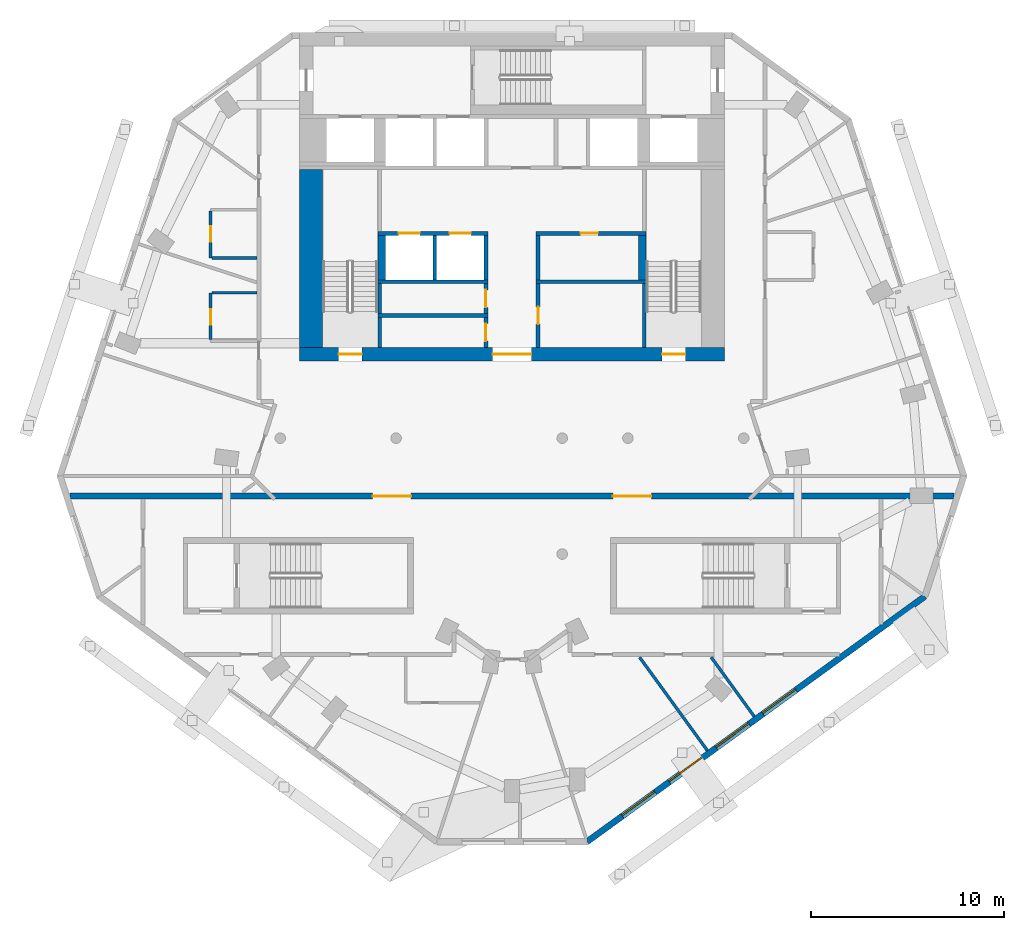
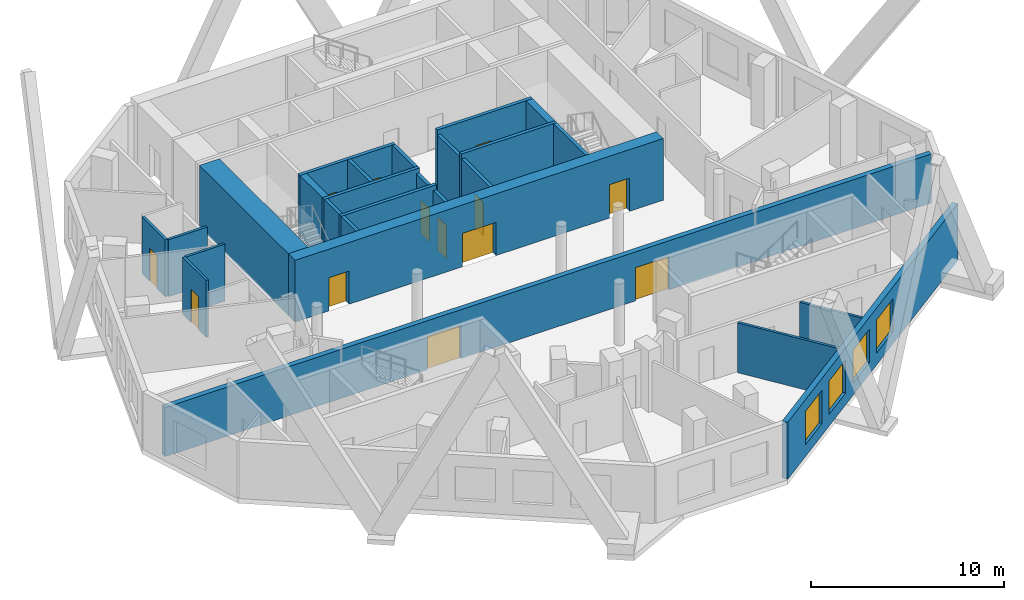
# One storey, part 4 of 9: 26 walls, 13 doors, 4 windows, 17 openings.
"""IFC4 building model written with IfcOpenShell, lengths in metres."""

from ifc_helpers import new_model, si_unit, direction, frame, frame_2d, origin, place, context, subcontext, project, spatial, rectangle, extrude, material, layer, layer_set, type_object, element, fill, save


model = new_model("IFC4")

# Units and contexts
model_context = context("Model", 3, precision=1e-05, world=origin(), true_north=direction((0.0, 1.0)))
body_context = subcontext(model_context, "Body", "Model", "MODEL_VIEW")
ifc_project = project(units=[si_unit("LENGTHUNIT", "METRE"), si_unit("AREAUNIT", "SQUARE_METRE"), si_unit("VOLUMEUNIT", "CUBIC_METRE"), si_unit("PLANEANGLEUNIT", "RADIAN"), si_unit("MASSUNIT", "GRAM", prefix="KILO")], contexts=[model_context])

# Site, building, storey
site_placement = place(None, origin())
site = spatial("IfcSite", under=ifc_project, at=site_placement, CompositionType="ELEMENT")
building_placement = place(site_placement, origin())
building = spatial("IfcBuilding", under=site, at=building_placement, Name="White Candle Pilgrim Tower", CompositionType="ELEMENT")
storey_placement = place(building_placement, frame((0.0, 0.0, 260.0)))
storey = spatial("IfcBuildingStorey", under=building, at=storey_placement, Name="L61", CompositionType="ELEMENT", Elevation=260.0)

# Wall, openings, windows
ifc_material_1 = material(Name="Precast concrete C40/50", Category="concrete")
ifc_layer_1 = layer(ifc_material_1, 0.320068359375)
ifc_layer_set_1 = layer_set([ifc_layer_1], Name="Facade wall EW1 precast concrete C40/50 pier wall with timber-lined reveals")
wall_type_1 = type_object("IfcWallType", Name="Facade wall EW1 precast concrete C40/50 pier wall with timber-lined reveals", PredefinedType="SOLIDWALL", material=ifc_layer_set_1)
wall_1_placement = place(storey_placement, frame((73.894287109375, 46.109130859375, 0.0), z_axis=(0.0, 0.0, 1.0), x_axis=(0.809016403759, 0.587786065205, 0.0)))
wall_1 = element("IfcWall", 1, at=wall_1_placement, inside=storey, type_object=wall_type_1, Name="Facade wall L61 SE", PredefinedType="SOLIDWALL", context=body_context, shape_type="SweptSolid", body=[
    extrude(rectangle(XDim=21.611083984375, YDim=0.320068359375, at=frame_2d((10.8056640625, 0.0))), origin(), (0.0, 0.0, 1.0), 3.60009765625),
])
opening_1_placement = place(wall_1_placement, frame((2.255615234375, 0.0, 0.75)))
opening_1 = element("IfcOpeningElement", 2, at=opening_1_placement, cuts=wall_1, Name="Opening W3", PredefinedType="OPENING", context=body_context, shape_type="SweptSolid", body=[
    extrude(rectangle(XDim=2.10009765625, YDim=2.10009765625, at=frame_2d((1.050048828125, 1.050048828125))), frame((0.0, 0.169921875, 0.0), z_axis=(0.0, -1.0, 0.0), x_axis=(1.0, 0.0, 0.0)), (0.0, 0.0, 1.0), 0.340087890625),
])
opening_2_placement = place(wall_1_placement, frame((5.255615234375, 0.0, 0.75)))
opening_2 = element("IfcOpeningElement", 3, at=opening_2_placement, cuts=wall_1, Name="Opening W3", PredefinedType="OPENING", context=body_context, shape_type="SweptSolid", body=[
    extrude(rectangle(XDim=2.10009765625, YDim=2.10009765625, at=frame_2d((1.050048828125, 1.050048828125))), frame((0.0, 0.169921875, 0.0), z_axis=(0.0, -1.0, 0.0), x_axis=(1.0, 0.0, 0.0)), (0.0, 0.0, 1.0), 0.340087890625),
])
opening_3_placement = place(wall_1_placement, frame((8.255615234375, 0.0, 0.75)))
opening_3 = element("IfcOpeningElement", 4, at=opening_3_placement, cuts=wall_1, Name="Opening W3", PredefinedType="OPENING", context=body_context, shape_type="SweptSolid", body=[
    extrude(rectangle(XDim=2.10009765625, YDim=2.10009765625, at=frame_2d((1.050048828125, 1.050048828125))), frame((0.0, 0.169921875, 0.0), z_axis=(0.0, -1.0, 0.0), x_axis=(1.0, 0.0, 0.0)), (0.0, 0.0, 1.0), 0.340087890625),
])
opening_4_placement = place(wall_1_placement, frame((11.255615234375, 0.0, 0.75)))
opening_4 = element("IfcOpeningElement", 5, at=opening_4_placement, cuts=wall_1, Name="Opening W3", PredefinedType="OPENING", context=body_context, shape_type="SweptSolid", body=[
    extrude(rectangle(XDim=2.10009765625, YDim=2.10009765625, at=frame_2d((1.050048828125, 1.050048828125))), frame((0.0, 0.169921875, 0.0), z_axis=(0.0, -1.0, 0.0), x_axis=(1.0, 0.0, 0.0)), (0.0, 0.0, 1.0), 0.340087890625),
])
ifc_material_2 = material(Name="Timber frame with triple glazing", Category="wood")
window_type = type_object("IfcWindowType", Name="Window W3 2100x2100 timber frame triple glazing", PartitioningType="SINGLE_PANEL", PredefinedType="WINDOW", material=ifc_material_2)
window_1_placement = place(opening_1_placement, origin())
window_1 = element("IfcWindow", 6, at=window_1_placement, inside=storey, type_object=window_type, Name="Window W3 L61 SE 1", OverallHeight=2.10009765625, OverallWidth=2.10009765625, PartitioningType="SINGLE_PANEL", PredefinedType="WINDOW", context=body_context, shape_type="SweptSolid", body=[
    extrude(rectangle(XDim=2.10009765625, YDim=2.10009765625, at=frame_2d((1.050048828125, 1.050048828125))), frame((0.0, 0.070068359375, 0.0), z_axis=(0.0, -1.0, 0.0), x_axis=(1.0, 0.0, 0.0)), (0.0, 0.0, 1.0), 0.06005859375),
])
fill(opening_1, window_1)
window_2_placement = place(opening_2_placement, origin())
window_2 = element("IfcWindow", 7, at=window_2_placement, inside=storey, type_object=window_type, Name="Window W3 L61 SE 2", OverallHeight=2.10009765625, OverallWidth=2.10009765625, PartitioningType="SINGLE_PANEL", PredefinedType="WINDOW", context=body_context, shape_type="SweptSolid", body=[
    extrude(rectangle(XDim=2.10009765625, YDim=2.10009765625, at=frame_2d((1.050048828125, 1.050048828125))), frame((0.0, 0.070068359375, 0.0), z_axis=(0.0, -1.0, 0.0), x_axis=(1.0, 0.0, 0.0)), (0.0, 0.0, 1.0), 0.06005859375),
])
fill(opening_2, window_2)
window_3_placement = place(opening_3_placement, origin())
window_3 = element("IfcWindow", 8, at=window_3_placement, inside=storey, type_object=window_type, Name="Window W3 L61 SE 3", OverallHeight=2.10009765625, OverallWidth=2.10009765625, PartitioningType="SINGLE_PANEL", PredefinedType="WINDOW", context=body_context, shape_type="SweptSolid", body=[
    extrude(rectangle(XDim=2.10009765625, YDim=2.10009765625, at=frame_2d((1.050048828125, 1.050048828125))), frame((0.0, 0.070068359375, 0.0), z_axis=(0.0, -1.0, 0.0), x_axis=(1.0, 0.0, 0.0)), (0.0, 0.0, 1.0), 0.06005859375),
])
fill(opening_3, window_3)
window_4_placement = place(opening_4_placement, origin())
window_4 = element("IfcWindow", 9, at=window_4_placement, inside=storey, type_object=window_type, Name="Window W3 L61 SE 4", OverallHeight=2.10009765625, OverallWidth=2.10009765625, PartitioningType="SINGLE_PANEL", PredefinedType="WINDOW", context=body_context, shape_type="SweptSolid", body=[
    extrude(rectangle(XDim=2.10009765625, YDim=2.10009765625, at=frame_2d((1.050048828125, 1.050048828125))), frame((0.0, 0.070068359375, 0.0), z_axis=(0.0, -1.0, 0.0), x_axis=(1.0, 0.0, 0.0)), (0.0, 0.0, 1.0), 0.06005859375),
])
fill(opening_4, window_4)

# Wall, openings, doors
ifc_material_3 = material(Name="Aerated concrete block", Category="concrete")
ifc_layer_2 = layer(ifc_material_3, 0.300048828125)
ifc_layer_set_2 = layer_set([ifc_layer_2], Name="Fire wall 300 mm REI 240")
wall_type_2 = type_object("IfcWallType", Name="Fire wall 300 mm REI 240", PredefinedType="PARTITIONING", material=ifc_layer_set_2)
wall_2_placement = place(storey_placement, frame((47.1044921875, 64.0, 0.0), z_axis=(0.0, 0.0, 1.0), x_axis=(1.0, 0.0, 0.0)))
wall_2 = element("IfcWall", 10, at=wall_2_placement, inside=storey, type_object=wall_type_2, Name="WL-L61-P001", PredefinedType="PARTITIONING", context=body_context, shape_type="SweptSolid", body=[
    extrude(rectangle(XDim=45.791015625, YDim=0.300048828125, at=frame_2d((22.8955078125, 0.0))), origin(), (0.0, 0.0, 1.0), 3.10009765625),
])
opening_5_placement = place(wall_2_placement, frame((15.675537109375, 0.0, 0.0)))
opening_5 = element("IfcOpeningElement", 11, at=opening_5_placement, cuts=wall_2, Name="Opening T19-111", PredefinedType="OPENING", context=body_context, shape_type="SweptSolid", body=[
    extrude(rectangle(XDim=2.0, YDim=2.10009765625, at=frame_2d((1.0, 1.050048828125))), frame((0.0, 0.159912109375, 0.0), z_axis=(0.0, -1.0, 0.0), x_axis=(1.0, 0.0, 0.0)), (0.0, 0.0, 1.0), 0.320068359375),
])
opening_6_placement = place(wall_2_placement, frame((28.115478515625, 0.0, 0.0)))
opening_6 = element("IfcOpeningElement", 12, at=opening_6_placement, cuts=wall_2, Name="Opening T19-112", PredefinedType="OPENING", context=body_context, shape_type="SweptSolid", body=[
    extrude(rectangle(XDim=2.0, YDim=2.10009765625, at=frame_2d((1.0, 1.050048828125))), frame((0.0, 0.159912109375, 0.0), z_axis=(0.0, -1.0, 0.0), x_axis=(1.0, 0.0, 0.0)), (0.0, 0.0, 1.0), 0.320068359375),
])
ifc_material_4 = material(Name="Steel door leaf", Category="steel")
door_type_1 = type_object("IfcDoorType", Name="Fire door 2000 x 2100 EI 60", OperationType="NOTDEFINED", PredefinedType="DOOR", material=ifc_material_4)
door_1_placement = place(opening_5_placement, origin())
door_1 = element("IfcDoor", 13, at=door_1_placement, inside=storey, type_object=door_type_1, Name="Door T19-111", OperationType="DOUBLE_DOOR_SINGLE_SWING", OverallHeight=2.10009765625, OverallWidth=2.0, PredefinedType="DOOR", context=body_context, shape_type="SweptSolid", body=[
    extrude(rectangle(XDim=2.0, YDim=2.10009765625, at=frame_2d((1.0, 1.050048828125))), frame((0.0, 0.02490234375, 0.0), z_axis=(0.0, -1.0, 0.0), x_axis=(1.0, 0.0, 0.0)), (0.0, 0.0, 1.0), 0.050048828125),
])
fill(opening_5, door_1)
door_2_placement = place(opening_6_placement, origin())
door_2 = element("IfcDoor", 14, at=door_2_placement, inside=storey, type_object=door_type_1, Name="Door T19-112", OperationType="DOUBLE_DOOR_SINGLE_SWING", OverallHeight=2.10009765625, OverallWidth=2.0, PredefinedType="DOOR", context=body_context, shape_type="SweptSolid", body=[
    extrude(rectangle(XDim=2.0, YDim=2.10009765625, at=frame_2d((1.0, 1.050048828125))), frame((0.0, 0.02490234375, 0.0), z_axis=(0.0, -1.0, 0.0), x_axis=(1.0, 0.0, 0.0)), (0.0, 0.0, 1.0), 0.050048828125),
])
fill(opening_6, door_2)

# Wall, opening, door
ifc_material_5 = material(Name="Gypsum board on steel studs", Category="steel")
ifc_layer_3 = layer(ifc_material_5, 0.199951171875)
ifc_layer_set_3 = layer_set([ifc_layer_3], Name="Lobby wall 200 mm EI 60")
wall_type_3 = type_object("IfcWallType", Name="Lobby wall 200 mm EI 60", PredefinedType="PARTITIONING", material=ifc_layer_set_3)
wall_3_placement = place(storey_placement, frame((68.64990234375, 71.699951171875, 0.0), z_axis=(0.0, 0.0, 1.0), x_axis=(0.0, 1.0, 0.0)))
wall_3 = element("IfcWall", 15, at=wall_3_placement, inside=storey, type_object=wall_type_3, Name="WL-L61-C14", PredefinedType="PARTITIONING", context=body_context, shape_type="SweptSolid", body=[
    extrude(rectangle(XDim=1.550048828125, YDim=0.199951171875, at=frame_2d((0.77490234375, 0.0))), origin(), (0.0, 0.0, 1.0), 3.60009765625),
])
opening_7_placement = place(wall_3_placement, frame((0.324951171875, 0.0, 0.0)))
opening_7 = element("IfcOpeningElement", 16, at=opening_7_placement, cuts=wall_3, Name="Opening T19-005", PredefinedType="OPENING", context=body_context, shape_type="SweptSolid", body=[
    extrude(rectangle(XDim=0.89990234375, YDim=2.10009765625, at=frame_2d((0.449951171875, 1.050048828125))), frame((0.0, 0.10986328125, 0.0), z_axis=(0.0, -1.0, 0.0), x_axis=(1.0, 0.0, 0.0)), (0.0, 0.0, 1.0), 0.219970703125),
])
door_type_2 = type_object("IfcDoorType", Name="Fire door 900 x 2100 EI 30", OperationType="NOTDEFINED", PredefinedType="DOOR", material=ifc_material_4)
door_3_placement = place(opening_7_placement, origin())
door_3 = element("IfcDoor", 17, at=door_3_placement, inside=storey, type_object=door_type_2, Name="Door T19-005", OperationType="SINGLE_SWING_LEFT", OverallHeight=2.10009765625, OverallWidth=0.89990234375, PredefinedType="DOOR", context=body_context, shape_type="SweptSolid", body=[
    extrude(rectangle(XDim=0.89990234375, YDim=2.10009765625, at=frame_2d((0.449951171875, 1.050048828125))), frame((0.0, 0.02490234375, 0.0), z_axis=(0.0, -1.0, 0.0), x_axis=(1.0, 0.0, 0.0)), (0.0, 0.0, 1.0), 0.050048828125),
])
fill(opening_7, door_3)

wall_4_placement = place(storey_placement, frame((71.35009765625, 71.699951171875, 0.0), z_axis=(0.0, 0.0, 1.0), x_axis=(0.0, 1.0, 0.0)))
wall_4 = element("IfcWall", 18, at=wall_4_placement, inside=storey, type_object=wall_type_3, Name="WL-L61-C15", PredefinedType="PARTITIONING", context=body_context, shape_type="SweptSolid", body=[
    extrude(rectangle(XDim=3.300048828125, YDim=0.199951171875, at=frame_2d((1.64990234375, 0.0))), origin(), (0.0, 0.0, 1.0), 3.60009765625),
])
opening_8_placement = place(wall_4_placement, frame((1.199951171875, 0.0, 0.0)))
opening_8 = element("IfcOpeningElement", 19, at=opening_8_placement, cuts=wall_4, Name="Opening T19-007", PredefinedType="OPENING", context=body_context, shape_type="SweptSolid", body=[
    extrude(rectangle(XDim=0.89990234375, YDim=2.10009765625, at=frame_2d((0.449951171875, 1.050048828125))), frame((0.0, 0.10986328125, 0.0), z_axis=(0.0, -1.0, 0.0), x_axis=(1.0, 0.0, 0.0)), (0.0, 0.0, 1.0), 0.219970703125),
])
door_4_placement = place(opening_8_placement, origin())
door_4 = element("IfcDoor", 20, at=door_4_placement, inside=storey, type_object=door_type_2, Name="Door T19-007", OperationType="SINGLE_SWING_LEFT", OverallHeight=2.10009765625, OverallWidth=0.89990234375, PredefinedType="DOOR", context=body_context, shape_type="SweptSolid", body=[
    extrude(rectangle(XDim=0.89990234375, YDim=2.10009765625, at=frame_2d((0.449951171875, 1.050048828125))), frame((0.0, 0.02490234375, 0.0), z_axis=(0.0, -1.0, 0.0), x_axis=(1.0, 0.0, 0.0)), (0.0, 0.0, 1.0), 0.050048828125),
])
fill(opening_8, door_4)

wall_5_placement = place(storey_placement, frame((68.64990234375, 73.449951171875, 0.0), z_axis=(0.0, 0.0, 1.0), x_axis=(0.0, 1.0, 0.0)))
wall_5 = element("IfcWall", 21, at=wall_5_placement, inside=storey, type_object=wall_type_3, Name="WL-L61-C20", PredefinedType="PARTITIONING", context=body_context, shape_type="SweptSolid", body=[
    extrude(rectangle(XDim=1.550048828125, YDim=0.199951171875, at=frame_2d((0.77490234375, 0.0))), origin(), (0.0, 0.0, 1.0), 3.60009765625),
])
opening_9_placement = place(wall_5_placement, frame((0.324951171875, 0.0, 0.0)))
opening_9 = element("IfcOpeningElement", 22, at=opening_9_placement, cuts=wall_5, Name="Opening T19-006", PredefinedType="OPENING", context=body_context, shape_type="SweptSolid", body=[
    extrude(rectangle(XDim=0.89990234375, YDim=2.10009765625, at=frame_2d((0.449951171875, 1.050048828125))), frame((0.0, 0.10986328125, 0.0), z_axis=(0.0, -1.0, 0.0), x_axis=(1.0, 0.0, 0.0)), (0.0, 0.0, 1.0), 0.219970703125),
])
door_5_placement = place(opening_9_placement, origin())
door_5 = element("IfcDoor", 23, at=door_5_placement, inside=storey, type_object=door_type_2, Name="Door T19-006", OperationType="SINGLE_SWING_RIGHT", OverallHeight=2.10009765625, OverallWidth=0.89990234375, PredefinedType="DOOR", context=body_context, shape_type="SweptSolid", body=[
    extrude(rectangle(XDim=0.89990234375, YDim=2.10009765625, at=frame_2d((0.449951171875, 1.050048828125))), frame((0.0, 0.02490234375, 0.0), z_axis=(0.0, -1.0, 0.0), x_axis=(1.0, 0.0, 0.0)), (0.0, 0.0, 1.0), 0.050048828125),
])
fill(opening_9, door_5)

# Wall
wall_6_placement = place(storey_placement, frame((71.35009765625, 75.199951171875, 0.0), z_axis=(0.0, 0.0, 1.0), x_axis=(0.0, 1.0, 0.0)))
element("IfcWall", 24, at=wall_6_placement, inside=storey, type_object=wall_type_3, Name="WL-L61-C26", PredefinedType="PARTITIONING", context=body_context, shape_type="SweptSolid", body=[
    extrude(rectangle(XDim=2.300048828125, YDim=0.199951171875, at=frame_2d((1.14990234375, 0.0))), origin(), (0.0, 0.0, 1.0), 3.60009765625),
])

# Wall, opening, door
ifc_layer_4 = layer(ifc_material_5, 0.14990234375)
ifc_layer_set_4 = layer_set([ifc_layer_4], Name="Partition 150 mm EI 60")
wall_type_4 = type_object("IfcWallType", Name="Partition 150 mm EI 60", PredefinedType="PARTITIONING", material=ifc_layer_set_4)
wall_7_placement = place(storey_placement, frame((54.39990234375, 76.327880859375, 0.0), z_axis=(0.0, 0.0, 1.0), x_axis=(0.0, 1.0, 0.0)))
wall_7 = element("IfcWall", 25, at=wall_7_placement, inside=storey, type_object=wall_type_4, Name="WL-L61-P032", PredefinedType="PARTITIONING", context=body_context, shape_type="SweptSolid", body=[
    extrude(rectangle(XDim=2.425048828125, YDim=0.14990234375, at=frame_2d((1.21240234375, 0.0))), origin(), (0.0, 0.0, 1.0), 3.60009765625),
])
opening_10_placement = place(wall_7_placement, frame((0.85009765625, 0.0, 0.0)))
opening_10 = element("IfcOpeningElement", 26, at=opening_10_placement, cuts=wall_7, Name="Opening T19-101", PredefinedType="OPENING", context=body_context, shape_type="SweptSolid", body=[
    extrude(rectangle(XDim=0.800048828125, YDim=2.10009765625, at=frame_2d((0.39990234375, 1.050048828125))), frame((0.0, 0.0849609375, 0.0), z_axis=(0.0, -1.0, 0.0), x_axis=(1.0, 0.0, 0.0)), (0.0, 0.0, 1.0), 0.169921875),
])
door_type_3 = type_object("IfcDoorType", Name="Fire door 800 x 2100 EI 30", OperationType="NOTDEFINED", PredefinedType="DOOR", material=ifc_material_4)
door_6_placement = place(opening_10_placement, origin())
door_6 = element("IfcDoor", 27, at=door_6_placement, inside=storey, type_object=door_type_3, Name="Door T19-101", OperationType="SINGLE_SWING_LEFT", OverallHeight=2.10009765625, OverallWidth=0.800048828125, PredefinedType="DOOR", context=body_context, shape_type="SweptSolid", body=[
    extrude(rectangle(XDim=0.800048828125, YDim=2.10009765625, at=frame_2d((0.39990234375, 1.050048828125))), frame((0.0, 0.02490234375, 0.0), z_axis=(0.0, -1.0, 0.0), x_axis=(1.0, 0.0, 0.0)), (0.0, 0.0, 1.0), 0.050048828125),
])
fill(opening_10, door_6)

# Wall
wall_8_placement = place(storey_placement, frame((56.800048828125, 76.327880859375, 0.0), z_axis=(0.0, 0.0, 1.0), x_axis=(-1.0, 0.0, 0.0)))
element("IfcWall", 28, at=wall_8_placement, inside=storey, type_object=wall_type_4, Name="WL-L61-P033", PredefinedType="PARTITIONING", context=body_context, shape_type="SweptSolid", body=[
    extrude(rectangle(XDim=2.324951171875, YDim=0.14990234375, at=frame_2d((1.16259765625, 0.0))), origin(), (0.0, 0.0, 1.0), 3.60009765625),
])

# Wall, opening, door
wall_9_placement = place(storey_placement, frame((54.39990234375, 74.52783203125, 0.0), z_axis=(0.0, 0.0, 1.0), x_axis=(0.0, -1.0, 0.0)))
wall_9 = element("IfcWall", 29, at=wall_9_placement, inside=storey, type_object=wall_type_4, Name="WL-L61-P035", PredefinedType="PARTITIONING", context=body_context, shape_type="SweptSolid", body=[
    extrude(rectangle(XDim=2.425048828125, YDim=0.14990234375, at=frame_2d((1.21240234375, 0.0))), origin(), (0.0, 0.0, 1.0), 3.60009765625),
])
opening_11_placement = place(wall_9_placement, frame((0.85009765625, 0.0, 0.0)))
opening_11 = element("IfcOpeningElement", 30, at=opening_11_placement, cuts=wall_9, Name="Opening T19-102", PredefinedType="OPENING", context=body_context, shape_type="SweptSolid", body=[
    extrude(rectangle(XDim=0.800048828125, YDim=2.10009765625, at=frame_2d((0.39990234375, 1.050048828125))), frame((0.0, 0.0849609375, 0.0), z_axis=(0.0, -1.0, 0.0), x_axis=(1.0, 0.0, 0.0)), (0.0, 0.0, 1.0), 0.169921875),
])
door_7_placement = place(opening_11_placement, frame((0.800048828125, 0.0, 0.0), z_axis=(0.0, 0.0, 1.0), x_axis=(-1.0, 0.0, 0.0)))
door_7 = element("IfcDoor", 31, at=door_7_placement, inside=storey, type_object=door_type_3, Name="Door T19-102", OperationType="SINGLE_SWING_LEFT", OverallHeight=2.10009765625, OverallWidth=0.800048828125, PredefinedType="DOOR", context=body_context, shape_type="SweptSolid", body=[
    extrude(rectangle(XDim=0.800048828125, YDim=2.10009765625, at=frame_2d((0.39990234375, 1.050048828125))), frame((0.0, 0.02490234375, 0.0), z_axis=(0.0, -1.0, 0.0), x_axis=(1.0, 0.0, 0.0)), (0.0, 0.0, 1.0), 0.050048828125),
])
fill(opening_11, door_7)

# Walls
wall_10_placement = place(storey_placement, frame((56.800048828125, 74.52783203125, 0.0), z_axis=(0.0, 0.0, 1.0), x_axis=(-1.0, 0.0, 0.0)))
element("IfcWall", 32, at=wall_10_placement, inside=storey, type_object=wall_type_4, Name="WL-L61-P036", PredefinedType="PARTITIONING", context=body_context, shape_type="SweptSolid", body=[
    extrude(rectangle(XDim=2.324951171875, YDim=0.14990234375, at=frame_2d((1.16259765625, 0.0))), origin(), (0.0, 0.0, 1.0), 3.60009765625),
])
wall_11_placement = place(storey_placement, frame((80.114990234375, 50.826416015625, 0.0), z_axis=(0.0, 0.0, 1.0), x_axis=(-0.587772824374, 0.809026023641, 0.0)))
element("IfcWall", 33, at=wall_11_placement, inside=storey, type_object=wall_type_4, Name="WL-L61-P040", PredefinedType="PARTITIONING", context=body_context, shape_type="SweptSolid", body=[
    extrude(rectangle(XDim=5.9697265625, YDim=0.14990234375, at=frame_2d((2.98486328125, 0.0))), origin(), (0.0, 0.0, 1.0), 3.14990234375),
])
wall_12_placement = place(storey_placement, frame((82.5419921875, 52.58984375, 0.0), z_axis=(0.0, 0.0, 1.0), x_axis=(-0.587757946998, 0.809036832129, 0.0)))
element("IfcWall", 34, at=wall_12_placement, inside=storey, type_object=wall_type_4, Name="WL-L61-P041", PredefinedType="PARTITIONING", context=body_context, shape_type="SweptSolid", body=[
    extrude(rectangle(XDim=3.789794921875, YDim=0.14990234375, at=frame_2d((1.89501953125, 0.0))), origin(), (0.0, 0.0, 1.0), 3.14990234375),
])
ifc_material_6 = material(Name="Concrete C50/60", Category="concrete")
ifc_layer_5 = layer(ifc_material_6, 0.199951171875)
ifc_layer_set_5 = layer_set([ifc_layer_5], Name="Shaft wall 200 mm Concrete C50/60")
wall_type_5 = type_object("IfcWallType", Name="Shaft wall 200 mm Concrete C50/60", PredefinedType="SHEAR", material=ifc_layer_set_5)
for number, where, z_axis, x_axis, name in (
    (35, (66.0, 75.199951171875, 0.0), (0.0, 0.0, 1.0), (0.0, 1.0, 0.0), "WL-L61-C24"),
    (36, (68.64990234375, 75.199951171875, 0.0), (0.0, 0.0, 1.0), (0.0, 1.0, 0.0), "WL-L61-C25"),
):
    element("IfcWall", number, at=place(storey_placement, frame(where, z_axis=z_axis, x_axis=x_axis)), inside=storey, type_object=wall_type_5, Name=name, PredefinedType="SHEAR", context=body_context, shape_type="SweptSolid", body=[
        extrude(rectangle(XDim=2.300048828125, YDim=0.199951171875, at=frame_2d((1.14990234375, 0.0))), origin(), (0.0, 0.0, 1.0), 3.89990234375),
    ])
ifc_layer_6 = layer(ifc_material_6, 1.199951171875)
ifc_layer_set_6 = layer_set([ifc_layer_6], Name="Stair shaft wall 1200 mm Concrete C50/60")
wall_type_6 = type_object("IfcWallType", Name="Stair shaft wall 1200 mm Concrete C50/60", PredefinedType="SHEAR", material=ifc_layer_set_6)
wall_13_placement = place(storey_placement, frame((59.60009765625, 71.699951171875, 0.0), z_axis=(0.0, 0.0, 1.0), x_axis=(0.0, 1.0, 0.0)))
element("IfcWall", 37, at=wall_13_placement, inside=storey, type_object=wall_type_6, Name="WL-L61-C12", PredefinedType="SHEAR", context=body_context, shape_type="SweptSolid", body=[
    extrude(rectangle(XDim=9.199951171875, YDim=1.199951171875, at=frame_2d((4.60009765625, 0.0))), origin(), (0.0, 0.0, 1.0), 3.89990234375),
])
ifc_layer_7 = layer(ifc_material_6, 0.199951171875)
ifc_layer_set_7 = layer_set([ifc_layer_7], Name="Stair shaft wall 200 mm Concrete C50/60")
wall_type_7 = type_object("IfcWallType", Name="Stair shaft wall 200 mm Concrete C50/60", PredefinedType="SHEAR", material=ifc_layer_set_7)
wall_14_placement = place(storey_placement, frame((63.14990234375, 71.699951171875, 0.0), z_axis=(0.0, 0.0, 1.0), x_axis=(0.0, 1.0, 0.0)))
element("IfcWall", 38, at=wall_14_placement, inside=storey, type_object=wall_type_7, Name="WL-L61-C13", PredefinedType="SHEAR", context=body_context, shape_type="SweptSolid", body=[
    extrude(rectangle(XDim=1.550048828125, YDim=0.199951171875, at=frame_2d((0.77490234375, 0.0))), origin(), (0.0, 0.0, 1.0), 3.89990234375),
])
wall_15_placement = place(storey_placement, frame((76.85009765625, 71.699951171875, 0.0), z_axis=(0.0, 0.0, 1.0), x_axis=(0.0, 1.0, 0.0)))
element("IfcWall", 39, at=wall_15_placement, inside=storey, type_object=wall_type_7, Name="WL-L61-C16", PredefinedType="SHEAR", context=body_context, shape_type="SweptSolid", body=[
    extrude(rectangle(XDim=3.300048828125, YDim=0.199951171875, at=frame_2d((1.64990234375, 0.0))), origin(), (0.0, 0.0, 1.0), 3.89990234375),
])
wall_16_placement = place(storey_placement, frame((63.050048828125, 73.35009765625, 0.0), z_axis=(0.0, 0.0, 1.0), x_axis=(1.0, 0.0, 0.0)))
element("IfcWall", 40, at=wall_16_placement, inside=storey, type_object=wall_type_7, Name="WL-L61-C18", PredefinedType="SHEAR", context=body_context, shape_type="SweptSolid", body=[
    extrude(rectangle(XDim=5.699951171875, YDim=0.199951171875, at=frame_2d((2.85009765625, 0.0))), origin(), (0.0, 0.0, 1.0), 3.89990234375),
])
wall_17_placement = place(storey_placement, frame((63.14990234375, 73.449951171875, 0.0), z_axis=(0.0, 0.0, 1.0), x_axis=(0.0, 1.0, 0.0)))
element("IfcWall", 41, at=wall_17_placement, inside=storey, type_object=wall_type_7, Name="WL-L61-C19", PredefinedType="SHEAR", context=body_context, shape_type="SweptSolid", body=[
    extrude(rectangle(XDim=1.550048828125, YDim=0.199951171875, at=frame_2d((0.77490234375, 0.0))), origin(), (0.0, 0.0, 1.0), 3.89990234375),
])
for number, where, z_axis, x_axis, name in (
    (42, (63.050048828125, 75.10009765625, 0.0), (0.0, 0.0, 1.0), (1.0, 0.0, 0.0), "WL-L61-C21"),
    (43, (71.25, 75.10009765625, 0.0), (0.0, 0.0, 1.0), (1.0, 0.0, 0.0), "WL-L61-C22"),
):
    element("IfcWall", number, at=place(storey_placement, frame(where, z_axis=z_axis, x_axis=x_axis)), inside=storey, type_object=wall_type_7, Name=name, PredefinedType="SHEAR", context=body_context, shape_type="SweptSolid", body=[
        extrude(rectangle(XDim=5.699951171875, YDim=0.199951171875, at=frame_2d((2.85009765625, 0.0))), origin(), (0.0, 0.0, 1.0), 3.89990234375),
    ])

# Wall, openings, doors
wall_18_placement = place(storey_placement, frame((63.050048828125, 77.60009765625, 0.0), z_axis=(0.0, 0.0, 1.0), x_axis=(1.0, 0.0, 0.0)))
wall_18 = element("IfcWall", 44, at=wall_18_placement, inside=storey, type_object=wall_type_7, Name="WL-L61-C28", PredefinedType="SHEAR", context=body_context, shape_type="SweptSolid", body=[
    extrude(rectangle(XDim=5.699951171875, YDim=0.199951171875, at=frame_2d((2.85009765625, 0.0))), origin(), (0.0, 0.0, 1.0), 3.89990234375),
])
opening_12_placement = place(wall_18_placement, frame((1.074951171875, 0.0, 0.0)))
opening_12 = element("IfcOpeningElement", 45, at=opening_12_placement, cuts=wall_18, Name="Opening T19-014", PredefinedType="OPENING", context=body_context, shape_type="SweptSolid", body=[
    extrude(rectangle(XDim=1.10009765625, YDim=2.10009765625, at=frame_2d((0.550048828125, 1.050048828125))), frame((0.0, 0.10986328125, 0.0), z_axis=(0.0, -1.0, 0.0), x_axis=(1.0, 0.0, 0.0)), (0.0, 0.0, 1.0), 0.219970703125),
])
opening_13_placement = place(wall_18_placement, frame((3.72509765625, 0.0, 0.0)))
opening_13 = element("IfcOpeningElement", 46, at=opening_13_placement, cuts=wall_18, Name="Opening T19-015", PredefinedType="OPENING", context=body_context, shape_type="SweptSolid", body=[
    extrude(rectangle(XDim=1.10009765625, YDim=2.10009765625, at=frame_2d((0.550048828125, 1.050048828125))), frame((0.0, 0.10986328125, 0.0), z_axis=(0.0, -1.0, 0.0), x_axis=(1.0, 0.0, 0.0)), (0.0, 0.0, 1.0), 0.219970703125),
])
ifc_material_7 = material(Name="Stainless steel", Category="steel")
door_type_4 = type_object("IfcDoorType", Name="Lift landing door 1100 x 2100 E 60", OperationType="DOUBLE_DOOR_SLIDING", PredefinedType="DOOR", material=ifc_material_7)
door_8_placement = place(opening_12_placement, origin())
door_8 = element("IfcDoor", 47, at=door_8_placement, inside=storey, type_object=door_type_4, Name="Door T19-014", OperationType="DOUBLE_DOOR_SLIDING", OverallHeight=2.10009765625, OverallWidth=1.10009765625, PredefinedType="DOOR", context=body_context, shape_type="SweptSolid", body=[
    extrude(rectangle(XDim=1.10009765625, YDim=2.10009765625, at=frame_2d((0.550048828125, 1.050048828125))), frame((0.0, 0.02490234375, 0.0), z_axis=(0.0, -1.0, 0.0), x_axis=(1.0, 0.0, 0.0)), (0.0, 0.0, 1.0), 0.050048828125),
])
fill(opening_12, door_8)
door_9_placement = place(opening_13_placement, origin())
door_9 = element("IfcDoor", 48, at=door_9_placement, inside=storey, type_object=door_type_4, Name="Door T19-015", OperationType="DOUBLE_DOOR_SLIDING", OverallHeight=2.10009765625, OverallWidth=1.10009765625, PredefinedType="DOOR", context=body_context, shape_type="SweptSolid", body=[
    extrude(rectangle(XDim=1.10009765625, YDim=2.10009765625, at=frame_2d((0.550048828125, 1.050048828125))), frame((0.0, 0.02490234375, 0.0), z_axis=(0.0, -1.0, 0.0), x_axis=(1.0, 0.0, 0.0)), (0.0, 0.0, 1.0), 0.050048828125),
])
fill(opening_13, door_9)

# Wall, opening, door
wall_19_placement = place(storey_placement, frame((71.25, 77.60009765625, 0.0), z_axis=(0.0, 0.0, 1.0), x_axis=(1.0, 0.0, 0.0)))
wall_19 = element("IfcWall", 49, at=wall_19_placement, inside=storey, type_object=wall_type_7, Name="WL-L61-C29", PredefinedType="SHEAR", context=body_context, shape_type="SweptSolid", body=[
    extrude(rectangle(XDim=5.699951171875, YDim=0.199951171875, at=frame_2d((2.85009765625, 0.0))), origin(), (0.0, 0.0, 1.0), 3.89990234375),
])
opening_14_placement = place(wall_19_placement, frame((2.300048828125, 0.0, 0.0)))
opening_14 = element("IfcOpeningElement", 50, at=opening_14_placement, cuts=wall_19, Name="Opening T19-020", PredefinedType="OPENING", context=body_context, shape_type="SweptSolid", body=[
    extrude(rectangle(XDim=0.89990234375, YDim=2.10009765625, at=frame_2d((0.449951171875, 1.050048828125))), frame((0.0, 0.10986328125, 0.0), z_axis=(0.0, -1.0, 0.0), x_axis=(1.0, 0.0, 0.0)), (0.0, 0.0, 1.0), 0.219970703125),
])
door_10_placement = place(opening_14_placement, origin())
door_10 = element("IfcDoor", 51, at=door_10_placement, inside=storey, type_object=door_type_2, Name="Door T19-020", OperationType="SINGLE_SWING_RIGHT", OverallHeight=2.10009765625, OverallWidth=0.89990234375, PredefinedType="DOOR", context=body_context, shape_type="SweptSolid", body=[
    extrude(rectangle(XDim=0.89990234375, YDim=2.10009765625, at=frame_2d((0.449951171875, 1.050048828125))), frame((0.0, 0.02490234375, 0.0), z_axis=(0.0, -1.0, 0.0), x_axis=(1.0, 0.0, 0.0)), (0.0, 0.0, 1.0), 0.050048828125),
])
fill(opening_14, door_10)

# Walls
ifc_layer_8 = layer(ifc_material_6, 0.39990234375)
ifc_layer_set_8 = layer_set([ifc_layer_8], Name="Stair shaft wall 400 mm Concrete C50/60")
wall_type_8 = type_object("IfcWallType", Name="Stair shaft wall 400 mm Concrete C50/60", PredefinedType="SHEAR", material=ifc_layer_set_8)
for number, where, z_axis, x_axis, name in (
    (52, (63.25, 75.199951171875, 0.0), (0.0, 0.0, 1.0), (0.0, 1.0, 0.0), "WL-L61-C23"),
    (53, (76.75, 75.199951171875, 0.0), (0.0, 0.0, 1.0), (0.0, 1.0, 0.0), "WL-L61-C27"),
):
    element("IfcWall", number, at=place(storey_placement, frame(where, z_axis=z_axis, x_axis=x_axis)), inside=storey, type_object=wall_type_8, Name=name, PredefinedType="SHEAR", context=body_context, shape_type="SweptSolid", body=[
        extrude(rectangle(XDim=2.300048828125, YDim=0.39990234375, at=frame_2d((1.14990234375, 0.0))), origin(), (0.0, 0.0, 1.0), 3.89990234375),
    ])

# Wall, openings, doors
ifc_layer_9 = layer(ifc_material_6, 0.699951171875)
ifc_layer_set_9 = layer_set([ifc_layer_9], Name="Stair shaft wall 700 mm Concrete C50/60")
wall_type_9 = type_object("IfcWallType", Name="Stair shaft wall 700 mm Concrete C50/60", PredefinedType="SHEAR", material=ifc_layer_set_9)
wall_20_placement = place(storey_placement, frame((59.0, 71.35009765625, 0.0), z_axis=(0.0, 0.0, 1.0), x_axis=(1.0, 0.0, 0.0)))
wall_20 = element("IfcWall", 54, at=wall_20_placement, inside=storey, type_object=wall_type_9, Name="WL-L61-C11", PredefinedType="SHEAR", context=body_context, shape_type="SweptSolid", body=[
    extrude(rectangle(XDim=22.0, YDim=0.699951171875, at=frame_2d((11.0, 0.0))), origin(), (0.0, 0.0, 1.0), 3.89990234375),
])
opening_15_placement = place(wall_20_placement, frame((2.02490234375, 0.0, 0.0)))
opening_15 = element("IfcOpeningElement", 55, at=opening_15_placement, cuts=wall_20, Name="Opening T19-001", PredefinedType="OPENING", context=body_context, shape_type="SweptSolid", body=[
    extrude(rectangle(XDim=1.199951171875, YDim=2.10009765625, at=frame_2d((0.60009765625, 1.050048828125))), frame((0.0, 0.35986328125, 0.0), z_axis=(0.0, -1.0, 0.0), x_axis=(1.0, 0.0, 0.0)), (0.0, 0.0, 1.0), 0.719970703125),
])
opening_16_placement = place(wall_20_placement, frame((18.77490234375, 0.0, 0.0)))
opening_16 = element("IfcOpeningElement", 56, at=opening_16_placement, cuts=wall_20, Name="Opening T19-002", PredefinedType="OPENING", context=body_context, shape_type="SweptSolid", body=[
    extrude(rectangle(XDim=1.199951171875, YDim=2.10009765625, at=frame_2d((0.60009765625, 1.050048828125))), frame((0.0, 0.35986328125, 0.0), z_axis=(0.0, -1.0, 0.0), x_axis=(1.0, 0.0, 0.0)), (0.0, 0.0, 1.0), 0.719970703125),
])
opening_17_placement = place(wall_20_placement, frame((10.0, 0.0, 0.0)))
opening_17 = element("IfcOpeningElement", 57, at=opening_17_placement, cuts=wall_20, Name="Opening T19-004", PredefinedType="OPENING", context=body_context, shape_type="SweptSolid", body=[
    extrude(rectangle(XDim=2.0, YDim=2.10009765625, at=frame_2d((1.0, 1.050048828125))), frame((0.0, 0.35986328125, 0.0), z_axis=(0.0, -1.0, 0.0), x_axis=(1.0, 0.0, 0.0)), (0.0, 0.0, 1.0), 0.719970703125),
])
door_type_5 = type_object("IfcDoorType", Name="Fire door 1200 x 2100 EI 60", OperationType="NOTDEFINED", PredefinedType="DOOR", material=ifc_material_4)
door_11_placement = place(opening_15_placement, frame((1.199951171875, 0.0, 0.0), z_axis=(0.0, 0.0, 1.0), x_axis=(-1.0, 0.0, 0.0)))
door_11 = element("IfcDoor", 58, at=door_11_placement, inside=storey, type_object=door_type_5, Name="Door T19-001", OperationType="SINGLE_SWING_RIGHT", OverallHeight=2.10009765625, OverallWidth=1.199951171875, PredefinedType="DOOR", context=body_context, shape_type="SweptSolid", body=[
    extrude(rectangle(XDim=1.199951171875, YDim=2.10009765625, at=frame_2d((0.60009765625, 1.050048828125))), frame((0.0, 0.02490234375, 0.0), z_axis=(0.0, -1.0, 0.0), x_axis=(1.0, 0.0, 0.0)), (0.0, 0.0, 1.0), 0.050048828125),
])
fill(opening_15, door_11)
door_12_placement = place(opening_16_placement, frame((1.199951171875, 0.0, 0.0), z_axis=(0.0, 0.0, 1.0), x_axis=(-1.0, 0.0, 0.0)))
door_12 = element("IfcDoor", 59, at=door_12_placement, inside=storey, type_object=door_type_5, Name="Door T19-002", OperationType="SINGLE_SWING_LEFT", OverallHeight=2.10009765625, OverallWidth=1.199951171875, PredefinedType="DOOR", context=body_context, shape_type="SweptSolid", body=[
    extrude(rectangle(XDim=1.199951171875, YDim=2.10009765625, at=frame_2d((0.60009765625, 1.050048828125))), frame((0.0, 0.02490234375, 0.0), z_axis=(0.0, -1.0, 0.0), x_axis=(1.0, 0.0, 0.0)), (0.0, 0.0, 1.0), 0.050048828125),
])
fill(opening_16, door_12)
door_13_placement = place(opening_17_placement, frame((2.0, 0.0, 0.0), z_axis=(0.0, 0.0, 1.0), x_axis=(-1.0, 0.0, 0.0)))
door_13 = element("IfcDoor", 60, at=door_13_placement, inside=storey, type_object=door_type_1, Name="Door T19-004", OperationType="DOUBLE_DOOR_SINGLE_SWING", OverallHeight=2.10009765625, OverallWidth=2.0, PredefinedType="DOOR", context=body_context, shape_type="SweptSolid", body=[
    extrude(rectangle(XDim=2.0, YDim=2.10009765625, at=frame_2d((1.0, 1.050048828125))), frame((0.0, 0.02490234375, 0.0), z_axis=(0.0, -1.0, 0.0), x_axis=(1.0, 0.0, 0.0)), (0.0, 0.0, 1.0), 0.050048828125),
])
fill(opening_17, door_13)

save(model, "model.ifc")
